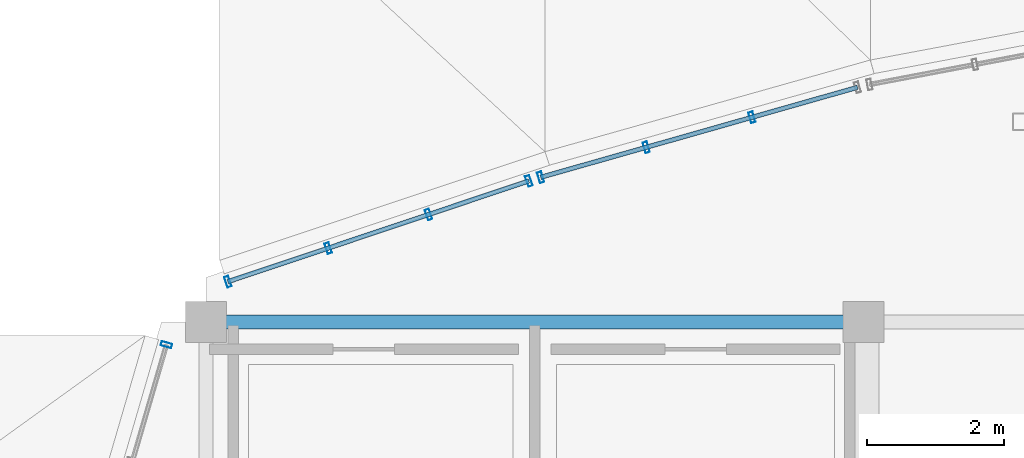
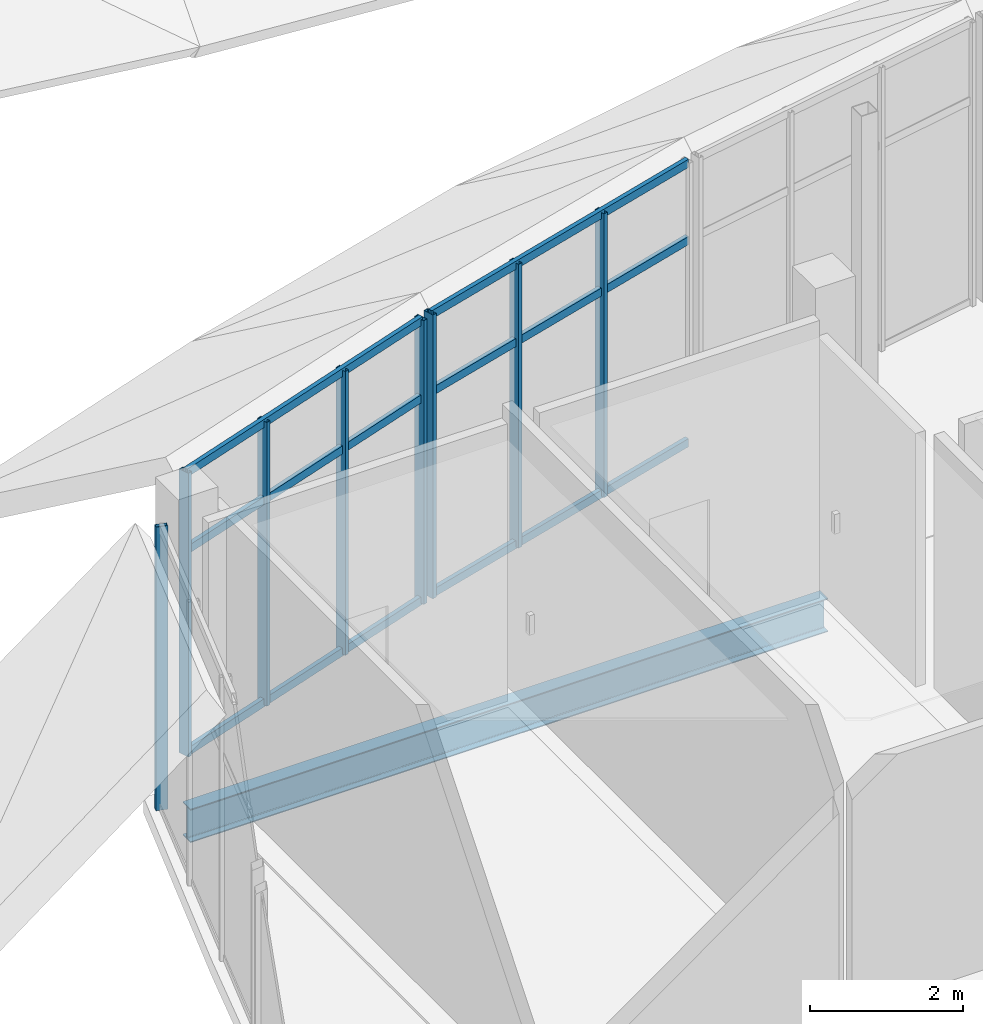
# One storey, part 30 of 116: 14 members, 1 beam, 3 elements without a shape of their own.
"""IFC4 building model written with IfcOpenShell, lengths in metres."""

from ifc_helpers import new_model, si_unit, direction, frame, origin, origin_2d, place, context, subcontext, project, spatial, hollow_rectangle, i_section, extrude, material, layer, layer_set, material_profile, profile_set, type_object, element, aggregate, save


model = new_model("IFC4")

# Units and contexts
model_context = context("Model", 3, precision=1e-05, world=origin(), true_north=direction((0.0, 1.0)))
body_context = subcontext(model_context, "Body", "Model", "MODEL_VIEW")
ifc_project = project(units=[si_unit("LENGTHUNIT", "METRE"), si_unit("AREAUNIT", "SQUARE_METRE"), si_unit("VOLUMEUNIT", "CUBIC_METRE"), si_unit("PLANEANGLEUNIT", "RADIAN"), si_unit("MASSUNIT", "GRAM", prefix="KILO")], contexts=[model_context])

# Site, building, storey
site_placement = place(None, origin())
site = spatial("IfcSite", under=ifc_project, at=site_placement, CompositionType="ELEMENT")
building_placement = place(site_placement, origin())
building = spatial("IfcBuilding", under=site, at=building_placement, Name="Chalmorin Arch Market", CompositionType="ELEMENT")
storey_placement = place(building_placement, origin())
storey = spatial("IfcBuildingStorey", under=building, at=storey_placement, Name="L00", CompositionType="ELEMENT", Elevation=0.0)

# Curtain wall, member
ifc_material_1 = material(Name="Aluminium 6063-T6", Category="aluminium")
ifc_layer_1 = layer(ifc_material_1, 0.159912109375)
ifc_layer_set_1 = layer_set([ifc_layer_1], Name="Aluminium 6063-T6")
curtain_wall_type_1 = type_object("IfcCurtainWallType", Name="RiverfrontStorefrontCurtainWall-CW2-5290x4520", PredefinedType="NOTDEFINED", material=ifc_layer_set_1)
curtain_wall_1_placement = place(storey_placement, origin())
curtain_wall_1 = element("IfcCurtainWall", 1, at=curtain_wall_1_placement, inside=storey, type_object=curtain_wall_type_1, Name="CW-02-066", PredefinedType="NOTDEFINED")
ifc_material_profile_1 = material_profile(ifc_material_1, hollow_rectangle(XDim=0.06494140625, YDim=0.159912109375, WallThickness=0.00390625, at=origin_2d()), Name="ALU65X160X4")
ifc_profile_set_1 = profile_set([ifc_material_profile_1], Name="Aluminium 6063-T6")
member_type_1 = type_object("IfcMemberType", Name="CurtainWallMullion-65x160", PredefinedType="MULLION", material=ifc_profile_set_1)
member_1_placement = place(storey_placement, frame((-0.577392578125, 49.66650390625, 0.0), z_axis=(0.0, 0.0, 1.0), x_axis=(0.275637355817, 0.961261695938, 0.0)))
member_1 = element("IfcMember", 2, at=member_1_placement, type_object=member_type_1, Name="ML-066-04", PredefinedType="MULLION", context=body_context, shape_type="SweptSolid", body=[
    extrude(hollow_rectangle(XDim=0.06494140625, YDim=0.159912109375, WallThickness=0.00390625, at=origin_2d()), origin(), (0.0, 0.0, 1.0), 4.52001953125),
])
aggregate(curtain_wall_1, [member_1])

# Curtain wall, members
ifc_layer_2 = layer(ifc_material_1, 0.159912109375)
ifc_layer_set_2 = layer_set([ifc_layer_2], Name="Aluminium 6063-T6")
curtain_wall_type_2 = type_object("IfcCurtainWallType", Name="RiverfrontStorefrontCurtainWall-CW2-4630x4520", PredefinedType="NOTDEFINED", material=ifc_layer_set_2)
curtain_wall_2_placement = place(storey_placement, origin())
curtain_wall_2 = element("IfcCurtainWall", 3, at=curtain_wall_2_placement, inside=storey, type_object=curtain_wall_type_2, Name="CW-02-069", PredefinedType="NOTDEFINED")
member_2_placement = place(storey_placement, frame((0.31982421875, 50.587158203125, 0.0), z_axis=(0.0, 0.0, 1.0), x_axis=(0.945518575599, 0.325568154457, 0.0)))
member_2 = element("IfcMember", 4, at=member_2_placement, type_object=member_type_1, Name="ML-069-01", PredefinedType="MULLION", context=body_context, shape_type="SweptSolid", body=[
    extrude(hollow_rectangle(XDim=0.06494140625, YDim=0.159912109375, WallThickness=0.00390625, at=origin_2d()), origin(), (0.0, 0.0, 1.0), 4.52001953125),
])
member_3_placement = place(storey_placement, frame((1.784912109375, 51.077392578125, 0.0), z_axis=(0.0, 0.0, 1.0), x_axis=(0.945518575599, 0.325568154457, 0.0)))
member_3 = element("IfcMember", 5, at=member_3_placement, type_object=member_type_1, Name="ML-069-02", PredefinedType="MULLION", context=body_context, shape_type="SweptSolid", body=[
    extrude(hollow_rectangle(XDim=0.06494140625, YDim=0.159912109375, WallThickness=0.00390625, at=origin_2d()), origin(), (0.0, 0.0, 1.0), 4.52001953125),
])
member_4_placement = place(storey_placement, frame((3.249755859375, 51.568115234375, 0.0), z_axis=(0.0, 0.0, 1.0), x_axis=(0.945518575599, 0.325568154457, 0.0)))
member_4 = element("IfcMember", 6, at=member_4_placement, type_object=member_type_1, Name="ML-069-03", PredefinedType="MULLION", context=body_context, shape_type="SweptSolid", body=[
    extrude(hollow_rectangle(XDim=0.06494140625, YDim=0.159912109375, WallThickness=0.00390625, at=origin_2d()), origin(), (0.0, 0.0, 1.0), 4.52001953125),
])
member_5_placement = place(storey_placement, frame((4.714599609375, 52.058349609375, 0.0), z_axis=(0.0, 0.0, 1.0), x_axis=(0.945518575599, 0.325568154457, 0.0)))
member_5 = element("IfcMember", 7, at=member_5_placement, type_object=member_type_1, Name="ML-069-04", PredefinedType="MULLION", context=body_context, shape_type="SweptSolid", body=[
    extrude(hollow_rectangle(XDim=0.06494140625, YDim=0.159912109375, WallThickness=0.00390625, at=origin_2d()), origin(), (0.0, 0.0, 1.0), 4.52001953125),
])

ifc_layer_3 = layer(ifc_material_1, 0.159912109375)
ifc_layer_set_3 = layer_set([ifc_layer_3], Name="Aluminium 6063-T6")
curtain_wall_type_3 = type_object("IfcCurtainWallType", Name="RiverfrontStorefrontCurtainWall-CW2-4810x4520", PredefinedType="NOTDEFINED", material=ifc_layer_set_3)
curtain_wall_3_placement = place(storey_placement, origin())
curtain_wall_3 = element("IfcCurtainWall", 8, at=curtain_wall_3_placement, inside=storey, type_object=curtain_wall_type_3, Name="CW-02-072", PredefinedType="NOTDEFINED")
member_6_placement = place(storey_placement, frame((4.88671875, 52.111572265625, 0.0), z_axis=(0.0, 0.0, 1.0), x_axis=(0.961261695938, 0.275637355817, 0.0)))
member_6 = element("IfcMember", 9, at=member_6_placement, type_object=member_type_1, Name="ML-072-01", PredefinedType="MULLION", context=body_context, shape_type="SweptSolid", body=[
    extrude(hollow_rectangle(XDim=0.06494140625, YDim=0.159912109375, WallThickness=0.00390625, at=origin_2d()), origin(), (0.0, 0.0, 1.0), 4.52001953125),
])
member_7_placement = place(storey_placement, frame((6.428955078125, 52.549560546875, 0.0), z_axis=(0.0, 0.0, 1.0), x_axis=(0.961261695938, 0.275637355817, 0.0)))
member_7 = element("IfcMember", 10, at=member_7_placement, type_object=member_type_1, Name="ML-072-02", PredefinedType="MULLION", context=body_context, shape_type="SweptSolid", body=[
    extrude(hollow_rectangle(XDim=0.06494140625, YDim=0.159912109375, WallThickness=0.00390625, at=origin_2d()), origin(), (0.0, 0.0, 1.0), 4.52001953125),
])
member_8_placement = place(storey_placement, frame((7.97119140625, 52.987548828125, 0.0), z_axis=(0.0, 0.0, 1.0), x_axis=(0.961261695938, 0.275637355817, 0.0)))
member_8 = element("IfcMember", 11, at=member_8_placement, type_object=member_type_1, Name="ML-072-03", PredefinedType="MULLION", context=body_context, shape_type="SweptSolid", body=[
    extrude(hollow_rectangle(XDim=0.06494140625, YDim=0.159912109375, WallThickness=0.00390625, at=origin_2d()), origin(), (0.0, 0.0, 1.0), 4.52001953125),
])

# Member
ifc_material_profile_2 = material_profile(ifc_material_1, hollow_rectangle(XDim=0.06494140625, YDim=0.1298828125, WallThickness=0.00390625, at=origin_2d()), Name="ALU65X130X4")
ifc_profile_set_2 = profile_set([ifc_material_profile_2], Name="Aluminium 6063-T6")
member_type_2 = type_object("IfcMemberType", Name="CurtainWallTransom-65x130", PredefinedType="USERDEFINED", material=ifc_profile_set_2)
member_9_placement = place(storey_placement, frame((0.31982421875, 50.587158203125, 0.034912109375), z_axis=(0.948276888347, 0.317444393599, 0.0), x_axis=(-0.317444393599, 0.948276888347, 0.0)))
member_9 = element("IfcMember", 12, at=member_9_placement, type_object=member_type_2, Name="TR-069-01", ObjectType="TRANSOM", PredefinedType="USERDEFINED", context=body_context, shape_type="SweptSolid", body=[
    extrude(hollow_rectangle(XDim=0.06494140625, YDim=0.1298828125, WallThickness=0.00390625, at=origin_2d()), origin(), (0.0, 0.0, 1.0), 4.634521484375),
])

member_10_placement = place(storey_placement, frame((0.31982421875, 50.587158203125, 3.25439453125), z_axis=(0.948276888347, 0.317444393599, 0.0), x_axis=(-0.317444393599, 0.948276888347, 0.0)))
member_10 = element("IfcMember", 13, at=member_10_placement, type_object=member_type_2, Name="TR-069-02", ObjectType="TRANSOM", PredefinedType="USERDEFINED", context=body_context, shape_type="SweptSolid", body=[
    extrude(hollow_rectangle(XDim=0.06494140625, YDim=0.1298828125, WallThickness=0.00390625, at=origin_2d()), origin(), (0.0, 0.0, 1.0), 4.634521484375),
])

member_11_placement = place(storey_placement, frame((0.31982421875, 50.587158203125, 4.485107421875), z_axis=(0.948276888347, 0.317444393599, 0.0), x_axis=(-0.317444393599, 0.948276888347, 0.0)))
member_11 = element("IfcMember", 14, at=member_11_placement, type_object=member_type_2, Name="TR-069-03", ObjectType="TRANSOM", PredefinedType="USERDEFINED", context=body_context, shape_type="SweptSolid", body=[
    extrude(hollow_rectangle(XDim=0.06494140625, YDim=0.1298828125, WallThickness=0.00390625, at=origin_2d()), origin(), (0.0, 0.0, 1.0), 4.634521484375),
])

aggregate(curtain_wall_2, [member_2, member_3, member_4, member_5, member_9, member_10, member_11])

member_12_placement = place(storey_placement, frame((4.88671875, 52.111572265625, 0.034912109375), z_axis=(0.96197280209, 0.273145250807, 0.0), x_axis=(-0.273145250807, 0.96197280209, 0.0)))
member_12 = element("IfcMember", 15, at=member_12_placement, type_object=member_type_2, Name="TR-072-01", ObjectType="TRANSOM", PredefinedType="USERDEFINED", context=body_context, shape_type="SweptSolid", body=[
    extrude(hollow_rectangle(XDim=0.06494140625, YDim=0.1298828125, WallThickness=0.00390625, at=origin_2d()), origin(), (0.0, 0.0, 1.0), 4.8095703125),
])

member_13_placement = place(storey_placement, frame((4.88671875, 52.111572265625, 3.25439453125), z_axis=(0.96197280209, 0.273145250807, 0.0), x_axis=(-0.273145250807, 0.96197280209, 0.0)))
member_13 = element("IfcMember", 16, at=member_13_placement, type_object=member_type_2, Name="TR-072-02", ObjectType="TRANSOM", PredefinedType="USERDEFINED", context=body_context, shape_type="SweptSolid", body=[
    extrude(hollow_rectangle(XDim=0.06494140625, YDim=0.1298828125, WallThickness=0.00390625, at=origin_2d()), origin(), (0.0, 0.0, 1.0), 4.8095703125),
])

member_14_placement = place(storey_placement, frame((4.88671875, 52.111572265625, 4.485107421875), z_axis=(0.96197280209, 0.273145250807, 0.0), x_axis=(-0.273145250807, 0.96197280209, 0.0)))
member_14 = element("IfcMember", 17, at=member_14_placement, type_object=member_type_2, Name="TR-072-03", ObjectType="TRANSOM", PredefinedType="USERDEFINED", context=body_context, shape_type="SweptSolid", body=[
    extrude(hollow_rectangle(XDim=0.06494140625, YDim=0.1298828125, WallThickness=0.00390625, at=origin_2d()), origin(), (0.0, 0.0, 1.0), 4.8095703125),
])

aggregate(curtain_wall_3, [member_6, member_7, member_8, member_12, member_13, member_14])

# Beam
ifc_material_2 = material(Name="Steel A992 Grade 50", Category="steel")
ifc_material_profile_3 = material_profile(ifc_material_2, i_section(OverallWidth=0.208984375, OverallDepth=0.532958984375, WebThickness=0.01025390625, FlangeThickness=0.015625, FilletRadius=0.02197265625, at=origin_2d()), Name="W21X62")
ifc_profile_set_3 = profile_set([ifc_material_profile_3], Name="Steel A992 Grade 50")
beam_type = type_object("IfcBeamType", Name="PerimeterSpandrelBeam-W21X62", PredefinedType="SPANDREL", material=ifc_profile_set_3)
beam_placement = place(storey_placement, frame((0.0, 50.0, -0.618408203125), z_axis=(1.0, 0.0, 0.0), x_axis=(0.0, 1.0, 0.0)))
element("IfcBeam", 18, at=beam_placement, inside=storey, type_object=beam_type, Name="SP-W21-0214", PredefinedType="SPANDREL", context=body_context, shape_type="SweptSolid", body=[
    extrude(i_section(OverallWidth=0.208984375, OverallDepth=0.532958984375, WebThickness=0.01025390625, FlangeThickness=0.015625, FilletRadius=0.02197265625, at=origin_2d()), origin(), (0.0, 0.0, 1.0), 9.60009765625),
])

save(model, "model.ifc")
